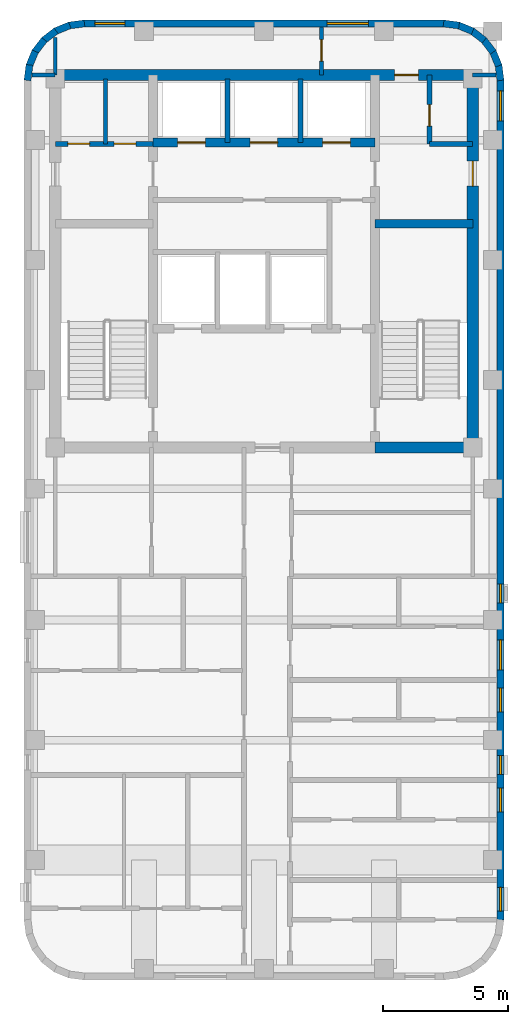
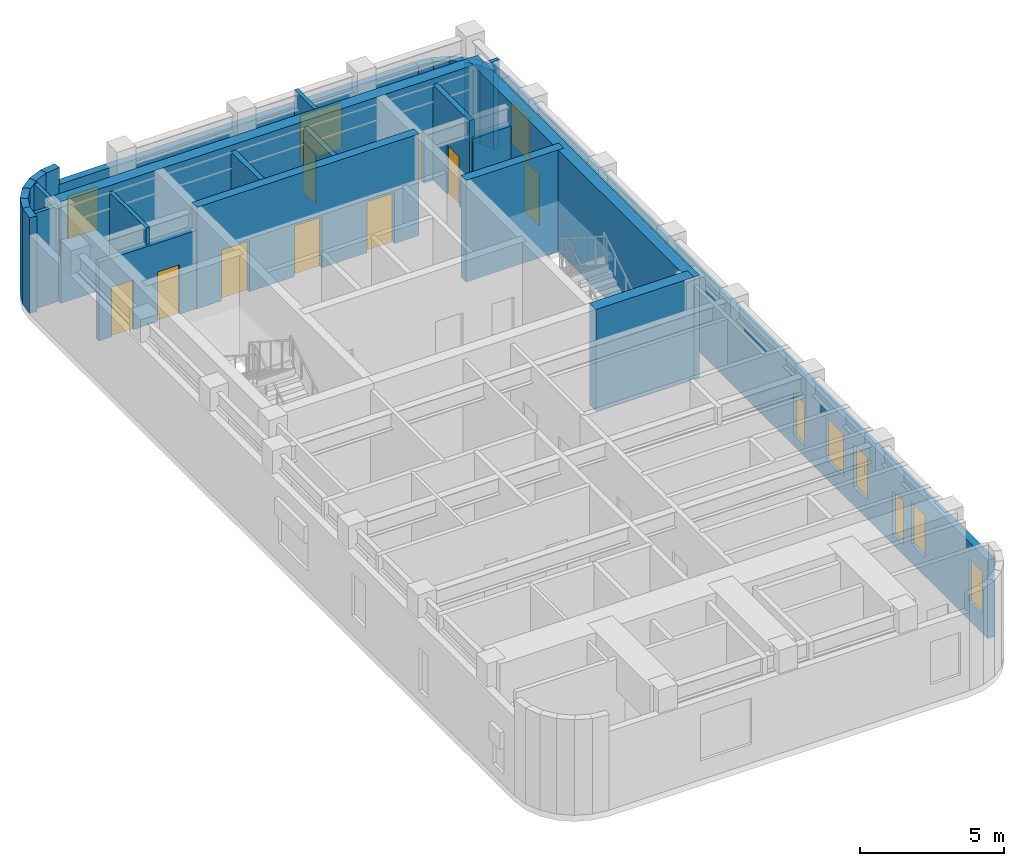
# One storey, part 4 of 6: 29 walls, 9 doors, 9 windows, 18 openings.
"""IFC4 building model written with IfcOpenShell, lengths in metres."""

from ifc_helpers import new_model, si_unit, direction, frame, frame_2d, origin, place, context, subcontext, project, spatial, rectangle, extrude, material, layer, layer_set, type_object, element, fill, save


model = new_model("IFC4")

# Units and contexts
model_context = context("Model", 3, precision=1e-05, world=origin(), true_north=direction((0.0, 1.0)))
body_context = subcontext(model_context, "Body", "Model", "MODEL_VIEW")
ifc_project = project(units=[si_unit("LENGTHUNIT", "METRE"), si_unit("AREAUNIT", "SQUARE_METRE"), si_unit("VOLUMEUNIT", "CUBIC_METRE"), si_unit("PLANEANGLEUNIT", "RADIAN"), si_unit("MASSUNIT", "GRAM", prefix="KILO")], contexts=[model_context])

# Site, building, storey
site_placement = place(None, origin())
site = spatial("IfcSite", under=ifc_project, at=site_placement, CompositionType="ELEMENT")
building_placement = place(site_placement, origin())
building = spatial("IfcBuilding", under=site, at=building_placement, Name="Orvandelia Arch Residences", CompositionType="ELEMENT")
storey_placement = place(building_placement, frame((0.0, 0.0, 261.300048828125)))
storey = spatial("IfcBuildingStorey", under=building, at=storey_placement, Name="L68", CompositionType="ELEMENT", Elevation=261.300048828125)

# Wall
ifc_material_1 = material(Name="Concrete C50/60", Category="concrete")
ifc_layer_1 = layer(ifc_material_1, 0.35009765625, Name="Concrete C50/60", Category="concrete")
ifc_layer_set_1 = layer_set([ifc_layer_1], Name="Concrete C50/60")
wall_type_1 = type_object("IfcWallType", Name="WL-CORE-350", PredefinedType="SHEAR", material=ifc_layer_set_1)
wall_1_placement = place(storey_placement, frame((18.840087890625, 39.85009765625, 0.0), z_axis=(0.0, 0.0, 1.0), x_axis=(1.0, 0.0, 0.0)))
element("IfcWall", 1, at=wall_1_placement, inside=storey, type_object=wall_type_1, Name="Core Shear Wall L68-HZ2", PredefinedType="SHEAR", context=body_context, shape_type="SweptSolid", body=[
    extrude(rectangle(XDim=3.909912109375, YDim=0.35009765625, at=frame_2d((1.955078125, 0.0))), origin(), (0.0, 0.0, 1.0), 4.300048828125),
])

# Wall, openings, doors
wall_2_placement = place(storey_placement, frame((9.9599609375, 43.10009765625, 0.0), z_axis=(0.0, 0.0, 1.0), x_axis=(1.0, 0.0, 0.0)))
wall_2 = element("IfcWall", 2, at=wall_2_placement, inside=storey, type_object=wall_type_1, Name="Core Shear Wall L68-HZ4", PredefinedType="SHEAR", context=body_context, shape_type="SweptSolid", body=[
    extrude(rectangle(XDim=8.880126953125, YDim=0.35009765625, at=frame_2d((4.43994140625, 0.0))), origin(), (0.0, 0.0, 1.0), 4.300048828125),
])
opening_1_placement = place(wall_2_placement, frame((0.989990234375, 0.0, 0.0)))
opening_1 = element("IfcOpeningElement", 3, at=opening_1_placement, cuts=wall_2, Name="Opening LD", PredefinedType="OPENING", context=body_context, shape_type="SweptSolid", body=[
    extrude(rectangle(XDim=1.10009765625, YDim=2.14990234375, at=frame_2d((0.550048828125, 1.074951171875))), frame((0.0, 0.18505859375, 0.0), z_axis=(0.0, -1.0, 0.0), x_axis=(1.0, 0.0, 0.0)), (0.0, 0.0, 1.0), 0.3701171875),
])
opening_2_placement = place(wall_2_placement, frame((3.889892578125, 0.0, 0.0)))
opening_2 = element("IfcOpeningElement", 4, at=opening_2_placement, cuts=wall_2, Name="Opening LD", PredefinedType="OPENING", context=body_context, shape_type="SweptSolid", body=[
    extrude(rectangle(XDim=1.10009765625, YDim=2.14990234375, at=frame_2d((0.550048828125, 1.074951171875))), frame((0.0, 0.18505859375, 0.0), z_axis=(0.0, -1.0, 0.0), x_axis=(1.0, 0.0, 0.0)), (0.0, 0.0, 1.0), 0.3701171875),
])
opening_3_placement = place(wall_2_placement, frame((6.7900390625, 0.0, 0.0)))
opening_3 = element("IfcOpeningElement", 5, at=opening_3_placement, cuts=wall_2, Name="Opening LD", PredefinedType="OPENING", context=body_context, shape_type="SweptSolid", body=[
    extrude(rectangle(XDim=1.10009765625, YDim=2.14990234375, at=frame_2d((0.550048828125, 1.074951171875))), frame((0.0, 0.18505859375, 0.0), z_axis=(0.0, -1.0, 0.0), x_axis=(1.0, 0.0, 0.0)), (0.0, 0.0, 1.0), 0.3701171875),
])
ifc_material_2 = material(Name="Brushed Stainless Steel Sliding Lift Door", Category="steel")
door_type_1 = type_object("IfcDoorType", Name="DR-LIFT-1100", OperationType="NOTDEFINED", PredefinedType="DOOR", material=ifc_material_2)
door_1_placement = place(opening_1_placement, origin())
door_1 = element("IfcDoor", 6, at=door_1_placement, inside=storey, type_object=door_type_1, Name="Lift Landing Door LD-PH1-L68", OperationType="SLIDING_TO_LEFT", OverallHeight=2.14990234375, OverallWidth=1.10009765625, PredefinedType="DOOR", context=body_context, shape_type="SweptSolid", body=[
    extrude(rectangle(XDim=1.10009765625, YDim=2.14990234375, at=frame_2d((0.550048828125, 1.074951171875))), frame((0.0, 0.02490234375, 0.0), z_axis=(0.0, -1.0, 0.0), x_axis=(1.0, 0.0, 0.0)), (0.0, 0.0, 1.0), 0.050048828125),
])
fill(opening_1, door_1)
door_2_placement = place(opening_2_placement, origin())
door_2 = element("IfcDoor", 7, at=door_2_placement, inside=storey, type_object=door_type_1, Name="Lift Landing Door LD-PH2-L68", OperationType="SLIDING_TO_RIGHT", OverallHeight=2.14990234375, OverallWidth=1.10009765625, PredefinedType="DOOR", context=body_context, shape_type="SweptSolid", body=[
    extrude(rectangle(XDim=1.10009765625, YDim=2.14990234375, at=frame_2d((0.550048828125, 1.074951171875))), frame((0.0, 0.02490234375, 0.0), z_axis=(0.0, -1.0, 0.0), x_axis=(1.0, 0.0, 0.0)), (0.0, 0.0, 1.0), 0.050048828125),
])
fill(opening_2, door_2)
door_3_placement = place(opening_3_placement, origin())
door_3 = element("IfcDoor", 8, at=door_3_placement, inside=storey, type_object=door_type_1, Name="Lift Landing Door LD-PH3-L68", OperationType="SLIDING_TO_LEFT", OverallHeight=2.14990234375, OverallWidth=1.10009765625, PredefinedType="DOOR", context=body_context, shape_type="SweptSolid", body=[
    extrude(rectangle(XDim=1.10009765625, YDim=2.14990234375, at=frame_2d((0.550048828125, 1.074951171875))), frame((0.0, 0.02490234375, 0.0), z_axis=(0.0, -1.0, 0.0), x_axis=(1.0, 0.0, 0.0)), (0.0, 0.0, 1.0), 0.050048828125),
])
fill(opening_3, door_3)

# Wall, opening, door
ifc_layer_2 = layer(ifc_material_1, 0.449951171875, Name="Concrete C50/60", Category="concrete")
ifc_layer_set_2 = layer_set([ifc_layer_2], Name="Concrete C50/60")
wall_type_2 = type_object("IfcWallType", Name="WL-CORE-450", PredefinedType="SHEAR", material=ifc_layer_set_2)
wall_3_placement = place(storey_placement, frame((22.75, 30.675048828125, 0.0), z_axis=(0.0, 0.0, 1.0), x_axis=(0.0, 1.0, 0.0)))
wall_3 = element("IfcWall", 9, at=wall_3_placement, inside=storey, type_object=wall_type_2, Name="Core Shear Wall L68-E", PredefinedType="SHEAR", context=body_context, shape_type="SweptSolid", body=[
    extrude(rectangle(XDim=15.349853515625, YDim=0.449951171875, at=frame_2d((7.6748046875, 0.0))), origin(), (0.0, 0.0, 1.0), 4.300048828125),
])
opening_4_placement = place(wall_3_placement, frame((10.675048828125, 0.0, 0.0)))
opening_4 = element("IfcOpeningElement", 10, at=opening_4_placement, cuts=wall_3, Name="Opening D6", PredefinedType="OPENING", context=body_context, shape_type="SweptSolid", body=[
    extrude(rectangle(XDim=1.0, YDim=2.14990234375, at=frame_2d((0.5, 1.074951171875))), frame((0.0, 0.23486328125, 0.0), z_axis=(0.0, -1.0, 0.0), x_axis=(1.0, 0.0, 0.0)), (0.0, 0.0, 1.0), 0.469970703125),
])
ifc_material_3 = material(Name="Smokeproof Painted Steel Fire Door", Category="steel")
door_type_2 = type_object("IfcDoorType", Name="DR-FD60-1000", OperationType="NOTDEFINED", PredefinedType="DOOR", material=ifc_material_3)
door_4_placement = place(opening_4_placement, origin())
door_4 = element("IfcDoor", 11, at=door_4_placement, inside=storey, type_object=door_type_2, Name="Core East Corridor Link Door L68", OperationType="SINGLE_SWING_LEFT", OverallHeight=2.14990234375, OverallWidth=1.0, PredefinedType="DOOR", context=body_context, shape_type="SweptSolid", body=[
    extrude(rectangle(XDim=1.0, YDim=2.14990234375, at=frame_2d((0.5, 1.074951171875))), frame((0.0, 0.02490234375, 0.0), z_axis=(0.0, -1.0, 0.0), x_axis=(1.0, 0.0, 0.0)), (0.0, 0.0, 1.0), 0.050048828125),
])
fill(opening_4, door_4)

wall_4_placement = place(storey_placement, frame((6.050048828125, 45.800048828125, 0.0), z_axis=(0.0, 0.0, 1.0), x_axis=(1.0, 0.0, 0.0)))
wall_4 = element("IfcWall", 12, at=wall_4_placement, inside=storey, type_object=wall_type_2, Name="Core Shear Wall L68-N", PredefinedType="SHEAR", context=body_context, shape_type="SweptSolid", body=[
    extrude(rectangle(XDim=16.699951171875, YDim=0.449951171875, at=frame_2d((8.35009765625, 0.0))), origin(), (0.0, 0.0, 1.0), 4.300048828125),
])
opening_5_placement = place(wall_4_placement, frame((13.570068359375, 0.0, 0.0)))
opening_5 = element("IfcOpeningElement", 13, at=opening_5_placement, cuts=wall_4, Name="Opening D2", PredefinedType="OPENING", context=body_context, shape_type="SweptSolid", body=[
    extrude(rectangle(XDim=0.949951171875, YDim=2.14990234375, at=frame_2d((0.47509765625, 1.074951171875))), frame((0.0, 0.23486328125, 0.0), z_axis=(0.0, -1.0, 0.0), x_axis=(1.0, 0.0, 0.0)), (0.0, 0.0, 1.0), 0.469970703125),
])
ifc_material_4 = material(Name="Solid-Core Timber Interior Fire Door", Category="wood")
door_type_3 = type_object("IfcDoorType", Name="DR-APT-950", OperationType="NOTDEFINED", PredefinedType="DOOR", material=ifc_material_4)
door_5_placement = place(opening_5_placement, origin())
door_5 = element("IfcDoor", 14, at=door_5_placement, inside=storey, type_object=door_type_3, Name="North Harbour Suite Entry Door L68", OperationType="SINGLE_SWING_LEFT", OverallHeight=2.14990234375, OverallWidth=0.949951171875, PredefinedType="DOOR", context=body_context, shape_type="SweptSolid", body=[
    extrude(rectangle(XDim=0.949951171875, YDim=2.14990234375, at=frame_2d((0.47509765625, 1.074951171875))), frame((0.0, 0.02490234375, 0.0), z_axis=(0.0, -1.0, 0.0), x_axis=(1.0, 0.0, 0.0)), (0.0, 0.0, 1.0), 0.050048828125),
])
fill(opening_5, door_5)

# Walls
wall_5_placement = place(storey_placement, frame((18.840087890625, 30.89990234375, 0.0), z_axis=(0.0, 0.0, 1.0), x_axis=(1.0, 0.0, 0.0)))
element("IfcWall", 15, at=wall_5_placement, inside=storey, type_object=wall_type_2, Name="Core Shear Wall L68-SE", PredefinedType="SHEAR", context=body_context, shape_type="SweptSolid", body=[
    extrude(rectangle(XDim=3.909912109375, YDim=0.449951171875, at=frame_2d((1.955078125, 0.0))), origin(), (0.0, 0.0, 1.0), 4.300048828125),
])
ifc_material_5 = material(Name="Precast concrete C40/50", Category="concrete")
ifc_layer_3 = layer(ifc_material_5, 0.280029296875, Name="Precast concrete C40/50", Category="concrete")
ifc_layer_set_3 = layer_set([ifc_layer_3], Name="Precast concrete C40/50")
wall_type_3 = type_object("IfcWallType", Name="WL-EXT-STONE-280", PredefinedType="STANDARD", material=ifc_layer_set_3)
for number, where, z_axis, x_axis, name in (
    (16, (4.938720703125, 45.581787109375, 0.0), (0.0, 0.0, 1.0), (0.130555323746, 0.9914410257, 0.0), "Coral-Limestone Precast Facade Wall L68-001"),
    (17, (5.010986328125, 46.16748046875, 0.0), (0.0, 0.0, 1.0), (0.382650053678, 0.92389335771, 0.0), "Coral-Limestone Precast Facade Wall L68-002"),
    (18, (5.232666015625, 46.71484375, 0.0), (0.0, 0.0, 1.0), (0.608693302629, 0.793405610854, 0.0), "Coral-Limestone Precast Facade Wall L68-003"),
    (19, (5.588134765625, 47.18603515625, 0.0), (0.0, 0.0, 1.0), (0.793405610854, 0.608693302629, 0.0), "Coral-Limestone Precast Facade Wall L68-004"),
):
    element("IfcWall", number, at=place(storey_placement, frame(where, z_axis=z_axis, x_axis=x_axis)), inside=storey, type_object=wall_type_3, Name=name, PredefinedType="STANDARD", context=body_context, shape_type="SweptSolid", body=[
        extrude(rectangle(XDim=0.62646484375, YDim=0.280029296875, at=frame_2d((0.313232421875, 0.0))), origin(), (0.0, 0.0, 1.0), 4.0400390625),
    ])
wall_6_placement = place(storey_placement, frame((6.0537109375, 47.54931640625, 0.0), z_axis=(0.0, 0.0, 1.0), x_axis=(0.923974080304, 0.382455093999, 0.0)))
element("IfcWall", 20, at=wall_6_placement, inside=storey, type_object=wall_type_3, Name="Coral-Limestone Precast Facade Wall L68-005", PredefinedType="STANDARD", context=body_context, shape_type="SweptSolid", body=[
    extrude(rectangle(XDim=0.626220703125, YDim=0.280029296875, at=frame_2d((0.31298828125, 0.0))), origin(), (0.0, 0.0, 1.0), 4.0400390625),
])
wall_7_placement = place(storey_placement, frame((6.59716796875, 47.779296875, 0.0), z_axis=(0.0, 0.0, 1.0), x_axis=(0.9914410257, 0.130555323746, 0.0)))
element("IfcWall", 21, at=wall_7_placement, inside=storey, type_object=wall_type_3, Name="Coral-Limestone Precast Facade Wall L68-006", PredefinedType="STANDARD", context=body_context, shape_type="SweptSolid", body=[
    extrude(rectangle(XDim=0.62646484375, YDim=0.280029296875, at=frame_2d((0.313232421875, 0.0))), origin(), (0.0, 0.0, 1.0), 4.0400390625),
])

# Wall, openings, windows
wall_8_placement = place(storey_placement, frame((7.199951171875, 47.860107421875, 0.0), z_axis=(0.0, 0.0, 1.0), x_axis=(1.0, 0.0, 0.0)))
wall_8 = element("IfcWall", 22, at=wall_8_placement, inside=storey, type_object=wall_type_3, Name="Coral-Limestone Precast Facade Wall L68-007", PredefinedType="STANDARD", context=body_context, shape_type="SweptSolid", body=[
    extrude(rectangle(XDim=14.400146484375, YDim=0.280029296875, at=frame_2d((7.2001953125, 0.0))), origin(), (0.0, 0.0, 1.0), 3.320068359375),
])
opening_6_placement = place(wall_8_placement, frame((0.4326171875, 0.0, 0.800048828125)))
opening_6 = element("IfcOpeningElement", 23, at=opening_6_placement, cuts=wall_8, Name="Opening W3", PredefinedType="OPENING", context=body_context, shape_type="SweptSolid", body=[
    extrude(rectangle(XDim=1.199951171875, YDim=1.800048828125, at=frame_2d((0.60009765625, 0.89990234375))), frame((0.0, 0.14990234375, 0.0), z_axis=(0.0, -1.0, 0.0), x_axis=(1.0, 0.0, 0.0)), (0.0, 0.0, 1.0), 0.300048828125),
])
opening_7_placement = place(wall_8_placement, frame((9.7275390625, 0.0, 0.800048828125)))
opening_7 = element("IfcOpeningElement", 24, at=opening_7_placement, cuts=wall_8, Name="Opening W9", PredefinedType="OPENING", context=body_context, shape_type="SweptSolid", body=[
    extrude(rectangle(XDim=1.64990234375, YDim=1.949951171875, at=frame_2d((0.824951171875, 0.97509765625))), frame((0.0, 0.14990234375, 0.0), z_axis=(0.0, -1.0, 0.0), x_axis=(1.0, 0.0, 0.0)), (0.0, 0.0, 1.0), 0.300048828125),
])
ifc_material_6 = material(Name="Tempered Low-E Insulated Glazing", Category="glass")
window_type_1 = type_object("IfcWindowType", Name="WIN-RES-1200x1800", PartitioningType="SINGLE_PANEL", PredefinedType="WINDOW", material=ifc_material_6)
window_1_placement = place(opening_6_placement, origin())
window_1 = element("IfcWindow", 25, at=window_1_placement, inside=storey, type_object=window_type_1, Name="Recessed Punched Window L68-001", OverallHeight=1.800048828125, OverallWidth=1.199951171875, PartitioningType="SINGLE_PANEL", PredefinedType="WINDOW", context=body_context, shape_type="SweptSolid", body=[
    extrude(rectangle(XDim=1.199951171875, YDim=1.800048828125, at=frame_2d((0.60009765625, 0.89990234375))), frame((0.0, 0.030029296875, 0.0), z_axis=(0.0, -1.0, 0.0), x_axis=(1.0, 0.0, 0.0)), (0.0, 0.0, 1.0), 0.06005859375),
])
fill(opening_6, window_1)
window_type_2 = type_object("IfcWindowType", Name="WIN-UPP-1650x1950", PartitioningType="SINGLE_PANEL", PredefinedType="WINDOW", material=ifc_material_6)
window_2_placement = place(opening_7_placement, origin())
window_2 = element("IfcWindow", 26, at=window_2_placement, inside=storey, type_object=window_type_2, Name="Recessed Punched Window L68-002", OverallHeight=1.949951171875, OverallWidth=1.64990234375, PartitioningType="SINGLE_PANEL", PredefinedType="WINDOW", context=body_context, shape_type="SweptSolid", body=[
    extrude(rectangle(XDim=1.64990234375, YDim=1.949951171875, at=frame_2d((0.824951171875, 0.97509765625))), frame((0.0, 0.030029296875, 0.0), z_axis=(0.0, -1.0, 0.0), x_axis=(1.0, 0.0, 0.0)), (0.0, 0.0, 1.0), 0.06005859375),
])
fill(opening_7, window_2)

# Walls
for number, where, z_axis, x_axis, name in (
    (27, (21.581787109375, 47.861083984375, 0.0), (0.0, 0.0, 1.0), (0.9914410257, -0.130555323746, 0.0), "Coral-Limestone Precast Facade Wall L68-008"),
    (28, (22.16748046875, 47.788818359375, 0.0), (0.0, 0.0, 1.0), (0.924031075431, -0.382317370307, 0.0), "Coral-Limestone Precast Facade Wall L68-009"),
    (29, (22.71484375, 47.5673828125, 0.0), (0.0, 0.0, 1.0), (0.793405610854, -0.608693302629, 0.0), "Coral-Limestone Precast Facade Wall L68-010"),
    (30, (23.18603515625, 47.2119140625, 0.0), (0.0, 0.0, 1.0), (0.608693302629, -0.793405610854, 0.0), "Coral-Limestone Precast Facade Wall L68-011"),
    (31, (23.54931640625, 46.746337890625, 0.0), (0.0, 0.0, 1.0), (0.382317370307, -0.924031075431, 0.0), "Coral-Limestone Precast Facade Wall L68-012"),
    (32, (23.779296875, 46.202880859375, 0.0), (0.0, 0.0, 1.0), (0.130555323746, -0.9914410257, 0.0), "Coral-Limestone Precast Facade Wall L68-013"),
):
    element("IfcWall", number, at=place(storey_placement, frame(where, z_axis=z_axis, x_axis=x_axis)), inside=storey, type_object=wall_type_3, Name=name, PredefinedType="STANDARD", context=body_context, shape_type="SweptSolid", body=[
        extrude(rectangle(XDim=0.62646484375, YDim=0.280029296875, at=frame_2d((0.313232421875, 0.0))), origin(), (0.0, 0.0, 1.0), 3.320068359375),
    ])

# Wall, openings, windows
wall_9_placement = place(storey_placement, frame((23.860107421875, 45.60009765625, 0.0), z_axis=(0.0, 0.0, 1.0), x_axis=(0.0, -1.0, 0.0)))
wall_9 = element("IfcWall", 33, at=wall_9_placement, inside=storey, type_object=wall_type_3, Name="Coral-Limestone Precast Facade Wall L68-014", PredefinedType="STANDARD", context=body_context, shape_type="SweptSolid", body=[
    extrude(rectangle(XDim=33.60009765625, YDim=0.280029296875, at=frame_2d((16.800048828125, 0.0))), origin(), (0.0, 0.0, 1.0), 3.320068359375),
])
opening_8_placement = place(wall_9_placement, frame((27.0224609375, 0.0, 0.449951171875)))
opening_8 = element("IfcOpeningElement", 34, at=opening_8_placement, cuts=wall_9, Name="Opening W11", PredefinedType="OPENING", context=body_context, shape_type="SweptSolid", body=[
    extrude(rectangle(XDim=0.75, YDim=1.800048828125, at=frame_2d((0.375, 0.89990234375))), frame((0.0, 0.14990234375, 0.0), z_axis=(0.0, -1.0, 0.0), x_axis=(1.0, 0.0, 0.0)), (0.0, 0.0, 1.0), 0.300048828125),
])
opening_9_placement = place(wall_9_placement, frame((22.3974609375, 0.0, 0.800048828125)))
opening_9 = element("IfcOpeningElement", 35, at=opening_9_placement, cuts=wall_9, Name="Opening W3", PredefinedType="OPENING", context=body_context, shape_type="SweptSolid", body=[
    extrude(rectangle(XDim=1.199951171875, YDim=1.800048828125, at=frame_2d((0.60009765625, 0.89990234375))), frame((0.0, 0.14990234375, 0.0), z_axis=(0.0, -1.0, 0.0), x_axis=(1.0, 0.0, 0.0)), (0.0, 0.0, 1.0), 0.300048828125),
])
opening_10_placement = place(wall_9_placement, frame((0.4326171875, 0.0, 0.800048828125)))
opening_10 = element("IfcOpeningElement", 36, at=opening_10_placement, cuts=wall_9, Name="Opening W3", PredefinedType="OPENING", context=body_context, shape_type="SweptSolid", body=[
    extrude(rectangle(XDim=1.199951171875, YDim=1.800048828125, at=frame_2d((0.60009765625, 0.89990234375))), frame((0.0, 0.14990234375, 0.0), z_axis=(0.0, -1.0, 0.0), x_axis=(1.0, 0.0, 0.0)), (0.0, 0.0, 1.0), 0.300048828125),
])
opening_11_placement = place(wall_9_placement, frame((32.294921875, 0.0, 0.800048828125)))
opening_11 = element("IfcOpeningElement", 37, at=opening_11_placement, cuts=wall_9, Name="Opening W4", PredefinedType="OPENING", context=body_context, shape_type="SweptSolid", body=[
    extrude(rectangle(XDim=0.949951171875, YDim=1.800048828125, at=frame_2d((0.47509765625, 0.89990234375))), frame((0.0, 0.14990234375, 0.0), z_axis=(0.0, -1.0, 0.0), x_axis=(1.0, 0.0, 0.0)), (0.0, 0.0, 1.0), 0.300048828125),
])
opening_12_placement = place(wall_9_placement, frame((28.320068359375, 0.0, 0.800048828125)))
opening_12 = element("IfcOpeningElement", 38, at=opening_12_placement, cuts=wall_9, Name="Opening W4", PredefinedType="OPENING", context=body_context, shape_type="SweptSolid", body=[
    extrude(rectangle(XDim=0.949951171875, YDim=1.800048828125, at=frame_2d((0.47509765625, 0.89990234375))), frame((0.0, 0.14990234375, 0.0), z_axis=(0.0, -1.0, 0.0), x_axis=(1.0, 0.0, 0.0)), (0.0, 0.0, 1.0), 0.300048828125),
])
opening_13_placement = place(wall_9_placement, frame((24.320068359375, 0.0, 0.800048828125)))
opening_13 = element("IfcOpeningElement", 39, at=opening_13_placement, cuts=wall_9, Name="Opening W4", PredefinedType="OPENING", context=body_context, shape_type="SweptSolid", body=[
    extrude(rectangle(XDim=0.949951171875, YDim=1.800048828125, at=frame_2d((0.47509765625, 0.89990234375))), frame((0.0, 0.14990234375, 0.0), z_axis=(0.0, -1.0, 0.0), x_axis=(1.0, 0.0, 0.0)), (0.0, 0.0, 1.0), 0.300048828125),
])
opening_14_placement = place(wall_9_placement, frame((20.16748046875, 0.0, 0.449951171875)))
opening_14 = element("IfcOpeningElement", 40, at=opening_14_placement, cuts=wall_9, Name="Opening W11", PredefinedType="OPENING", context=body_context, shape_type="SweptSolid", body=[
    extrude(rectangle(XDim=0.75, YDim=1.800048828125, at=frame_2d((0.375, 0.89990234375))), frame((0.0, 0.14990234375, 0.0), z_axis=(0.0, -1.0, 0.0), x_axis=(1.0, 0.0, 0.0)), (0.0, 0.0, 1.0), 0.300048828125),
])
window_type_3 = type_object("IfcWindowType", Name="WIN-BED-0750x1800", PartitioningType="SINGLE_PANEL", PredefinedType="WINDOW", material=ifc_material_6)
window_3_placement = place(opening_8_placement, origin())
window_3 = element("IfcWindow", 41, at=window_3_placement, inside=storey, type_object=window_type_3, Name="Recessed Punched Window L68-003", OverallHeight=1.800048828125, OverallWidth=0.75, PartitioningType="SINGLE_PANEL", PredefinedType="WINDOW", context=body_context, shape_type="SweptSolid", body=[
    extrude(rectangle(XDim=0.75, YDim=1.800048828125, at=frame_2d((0.375, 0.89990234375))), frame((0.0, 0.030029296875, 0.0), z_axis=(0.0, -1.0, 0.0), x_axis=(1.0, 0.0, 0.0)), (0.0, 0.0, 1.0), 0.06005859375),
])
fill(opening_8, window_3)
window_4_placement = place(opening_14_placement, origin())
window_4 = element("IfcWindow", 42, at=window_4_placement, inside=storey, type_object=window_type_3, Name="Recessed Punched Window L68-009", OverallHeight=1.800048828125, OverallWidth=0.75, PartitioningType="SINGLE_PANEL", PredefinedType="WINDOW", context=body_context, shape_type="SweptSolid", body=[
    extrude(rectangle(XDim=0.75, YDim=1.800048828125, at=frame_2d((0.375, 0.89990234375))), frame((0.0, 0.030029296875, 0.0), z_axis=(0.0, -1.0, 0.0), x_axis=(1.0, 0.0, 0.0)), (0.0, 0.0, 1.0), 0.06005859375),
])
fill(opening_14, window_4)
window_type_4 = type_object("IfcWindowType", Name="WIN-RES-0950x1800", PartitioningType="SINGLE_PANEL", PredefinedType="WINDOW", material=ifc_material_6)
window_5_placement = place(opening_11_placement, origin())
window_5 = element("IfcWindow", 43, at=window_5_placement, inside=storey, type_object=window_type_4, Name="Recessed Punched Window L68-006", OverallHeight=1.800048828125, OverallWidth=0.949951171875, PartitioningType="SINGLE_PANEL", PredefinedType="WINDOW", context=body_context, shape_type="SweptSolid", body=[
    extrude(rectangle(XDim=0.949951171875, YDim=1.800048828125, at=frame_2d((0.47509765625, 0.89990234375))), frame((0.0, 0.030029296875, 0.0), z_axis=(0.0, -1.0, 0.0), x_axis=(1.0, 0.0, 0.0)), (0.0, 0.0, 1.0), 0.06005859375),
])
fill(opening_11, window_5)
window_6_placement = place(opening_12_placement, origin())
window_6 = element("IfcWindow", 44, at=window_6_placement, inside=storey, type_object=window_type_4, Name="Recessed Punched Window L68-007", OverallHeight=1.800048828125, OverallWidth=0.949951171875, PartitioningType="SINGLE_PANEL", PredefinedType="WINDOW", context=body_context, shape_type="SweptSolid", body=[
    extrude(rectangle(XDim=0.949951171875, YDim=1.800048828125, at=frame_2d((0.47509765625, 0.89990234375))), frame((0.0, 0.030029296875, 0.0), z_axis=(0.0, -1.0, 0.0), x_axis=(1.0, 0.0, 0.0)), (0.0, 0.0, 1.0), 0.06005859375),
])
fill(opening_12, window_6)
window_7_placement = place(opening_13_placement, origin())
window_7 = element("IfcWindow", 45, at=window_7_placement, inside=storey, type_object=window_type_4, Name="Recessed Punched Window L68-008", OverallHeight=1.800048828125, OverallWidth=0.949951171875, PartitioningType="SINGLE_PANEL", PredefinedType="WINDOW", context=body_context, shape_type="SweptSolid", body=[
    extrude(rectangle(XDim=0.949951171875, YDim=1.800048828125, at=frame_2d((0.47509765625, 0.89990234375))), frame((0.0, 0.030029296875, 0.0), z_axis=(0.0, -1.0, 0.0), x_axis=(1.0, 0.0, 0.0)), (0.0, 0.0, 1.0), 0.06005859375),
])
fill(opening_13, window_7)
window_8_placement = place(opening_9_placement, origin())
window_8 = element("IfcWindow", 46, at=window_8_placement, inside=storey, type_object=window_type_1, Name="Recessed Punched Window L68-004", OverallHeight=1.800048828125, OverallWidth=1.199951171875, PartitioningType="SINGLE_PANEL", PredefinedType="WINDOW", context=body_context, shape_type="SweptSolid", body=[
    extrude(rectangle(XDim=1.199951171875, YDim=1.800048828125, at=frame_2d((0.60009765625, 0.89990234375))), frame((0.0, 0.030029296875, 0.0), z_axis=(0.0, -1.0, 0.0), x_axis=(1.0, 0.0, 0.0)), (0.0, 0.0, 1.0), 0.06005859375),
])
fill(opening_9, window_8)
window_9_placement = place(opening_10_placement, origin())
window_9 = element("IfcWindow", 47, at=window_9_placement, inside=storey, type_object=window_type_1, Name="Recessed Punched Window L68-005", OverallHeight=1.800048828125, OverallWidth=1.199951171875, PartitioningType="SINGLE_PANEL", PredefinedType="WINDOW", context=body_context, shape_type="SweptSolid", body=[
    extrude(rectangle(XDim=1.199951171875, YDim=1.800048828125, at=frame_2d((0.60009765625, 0.89990234375))), frame((0.0, 0.030029296875, 0.0), z_axis=(0.0, -1.0, 0.0), x_axis=(1.0, 0.0, 0.0)), (0.0, 0.0, 1.0), 0.06005859375),
])
fill(opening_10, window_9)

# Walls
ifc_material_7 = material(Name="Acoustic Gypsum Stud Partition")
ifc_layer_4 = layer(ifc_material_7, 0.14990234375, Name="Acoustic Gypsum Stud Partition")
ifc_layer_set_4 = layer_set([ifc_layer_4], Name="Acoustic Gypsum Stud Partition")
wall_type_4 = type_object("IfcWallType", Name="WL-PART-150", PredefinedType="PARTITIONING", material=ifc_layer_set_4)
wall_10_placement = place(storey_placement, frame((8.06005859375, 43.050048828125, 0.0), z_axis=(0.0, 0.0, 1.0), x_axis=(0.0, 1.0, 0.0)))
element("IfcWall", 48, at=wall_10_placement, inside=storey, type_object=wall_type_4, Name="Interior Partition Wall WL-L68-CRELC-M", PredefinedType="PARTITIONING", context=body_context, shape_type="SweptSolid", body=[
    extrude(rectangle(XDim=2.599853515625, YDim=0.14990234375, at=frame_2d((1.2998046875, 0.0))), origin(), (0.0, 0.0, 1.0), 4.0400390625),
])
wall_11_placement = place(storey_placement, frame((5.1201171875, 45.800048828125, 0.0), z_axis=(0.0, 0.0, 1.0), x_axis=(1.0, 0.0, 0.0)))
element("IfcWall", 49, at=wall_11_placement, inside=storey, type_object=wall_type_4, Name="Interior Partition Wall WL-L68-WF-N", PredefinedType="PARTITIONING", context=body_context, shape_type="SweptSolid", body=[
    extrude(rectangle(XDim=0.929931640625, YDim=0.14990234375, at=frame_2d((0.46484375, 0.0))), origin(), (0.0, 0.0, 1.0), 4.0400390625),
])
wall_12_placement = place(storey_placement, frame((6.050048828125, 45.800048828125, 0.0), z_axis=(0.0, 0.0, 1.0), x_axis=(0.0, 1.0, 0.0)))
element("IfcWall", 50, at=wall_12_placement, inside=storey, type_object=wall_type_4, Name="Interior Partition Wall WL-L68-NHI-W6", PredefinedType="PARTITIONING", context=body_context, shape_type="SweptSolid", body=[
    extrude(rectangle(XDim=1.5, YDim=0.14990234375, at=frame_2d((0.75, 0.0))), origin(), (0.0, 0.0, 1.0), 4.0400390625),
])
wall_13_placement = place(storey_placement, frame((22.75, 45.800048828125, 0.0), z_axis=(0.0, 0.0, 1.0), x_axis=(1.0, 0.0, 0.0)))
element("IfcWall", 51, at=wall_13_placement, inside=storey, type_object=wall_type_4, Name="Interior Partition Wall WL-L68-SEFLK-N", PredefinedType="PARTITIONING", context=body_context, shape_type="SweptSolid", body=[
    extrude(rectangle(XDim=0.929931640625, YDim=0.14990234375, at=frame_2d((0.46484375, 0.0))), origin(), (0.0, 0.0, 1.0), 4.0400390625),
])

# Wall, opening, door
wall_14_placement = place(storey_placement, frame((16.699951171875, 45.800048828125, 0.0), z_axis=(0.0, 0.0, 1.0), x_axis=(0.0, 1.0, 0.0)))
wall_14 = element("IfcWall", 52, at=wall_14_placement, inside=storey, type_object=wall_type_4, Name="Interior Partition Wall WL-L68-NHI-M", PredefinedType="PARTITIONING", context=body_context, shape_type="SweptSolid", body=[
    extrude(rectangle(XDim=1.919921875, YDim=0.14990234375, at=frame_2d((0.9599609375, 0.0))), origin(), (0.0, 0.0, 1.0), 4.0400390625),
])
opening_15_placement = place(wall_14_placement, frame((0.550048828125, 0.0, 0.0)))
opening_15 = element("IfcOpeningElement", 53, at=opening_15_placement, cuts=wall_14, Name="Opening D4", PredefinedType="OPENING", context=body_context, shape_type="SweptSolid", body=[
    extrude(rectangle(XDim=0.860107421875, YDim=2.10009765625, at=frame_2d((0.43017578125, 1.050048828125))), frame((0.0, 0.0849609375, 0.0), z_axis=(0.0, -1.0, 0.0), x_axis=(1.0, 0.0, 0.0)), (0.0, 0.0, 1.0), 0.169921875),
])
ifc_material_8 = material(Name="Moisture-Sealed Timber Bathroom Door", Category="wood")
door_type_4 = type_object("IfcDoorType", Name="DR-WET-900", OperationType="NOTDEFINED", PredefinedType="DOOR", material=ifc_material_8)
door_6_placement = place(opening_15_placement, origin())
door_6 = element("IfcDoor", 54, at=door_6_placement, inside=storey, type_object=door_type_4, Name="DR-L68-NHI1", OperationType="SINGLE_SWING_LEFT", OverallHeight=2.10009765625, OverallWidth=0.860107421875, PredefinedType="DOOR", context=body_context, shape_type="SweptSolid", body=[
    extrude(rectangle(XDim=0.860107421875, YDim=2.10009765625, at=frame_2d((0.43017578125, 1.050048828125))), frame((0.0, 0.02490234375, 0.0), z_axis=(0.0, -1.0, 0.0), x_axis=(1.0, 0.0, 0.0)), (0.0, 0.0, 1.0), 0.050048828125),
])
fill(opening_15, door_6)

# Wall
ifc_material_9 = material(Name="Fire-Rated Shaft Enclosure Wall")
ifc_layer_5 = layer(ifc_material_9, 0.199951171875, Name="Fire-Rated Shaft Enclosure Wall")
ifc_layer_set_5 = layer_set([ifc_layer_5], Name="Fire-Rated Shaft Enclosure Wall")
wall_type_5 = type_object("IfcWallType", Name="WL-SHAFT-200", PredefinedType="POLYGONAL", material=ifc_layer_set_5)
wall_15_placement = place(storey_placement, frame((21.02001953125, 43.050048828125, 0.0), z_axis=(0.0, 0.0, 1.0), x_axis=(1.0, 0.0, 0.0)))
element("IfcWall", 55, at=wall_15_placement, inside=storey, type_object=wall_type_5, Name="Interior Partition Wall WL-L68-HLE-N", PredefinedType="POLYGONAL", context=body_context, shape_type="SweptSolid", body=[
    extrude(rectangle(XDim=1.72998046875, YDim=0.199951171875, at=frame_2d((0.864990234375, 0.0))), origin(), (0.0, 0.0, 1.0), 3.320068359375),
])

# Wall, opening, door
wall_16_placement = place(storey_placement, frame((21.02001953125, 43.050048828125, 0.0), z_axis=(0.0, 0.0, 1.0), x_axis=(0.0, 1.0, 0.0)))
wall_16 = element("IfcWall", 56, at=wall_16_placement, inside=storey, type_object=wall_type_5, Name="Interior Partition Wall WL-L68-HLE-W21", PredefinedType="POLYGONAL", context=body_context, shape_type="SweptSolid", body=[
    extrude(rectangle(XDim=2.75, YDim=0.199951171875, at=frame_2d((1.375, 0.0))), origin(), (0.0, 0.0, 1.0), 4.0400390625),
])
opening_16_placement = place(wall_16_placement, frame((0.699951171875, 0.0, 0.0)))
opening_16 = element("IfcOpeningElement", 57, at=opening_16_placement, cuts=wall_16, Name="Opening D4", PredefinedType="OPENING", context=body_context, shape_type="SweptSolid", body=[
    extrude(rectangle(XDim=0.860107421875, YDim=2.10009765625, at=frame_2d((0.43017578125, 1.050048828125))), frame((0.0, 0.10986328125, 0.0), z_axis=(0.0, -1.0, 0.0), x_axis=(1.0, 0.0, 0.0)), (0.0, 0.0, 1.0), 0.219970703125),
])
door_7_placement = place(opening_16_placement, origin())
door_7 = element("IfcDoor", 58, at=door_7_placement, inside=storey, type_object=door_type_4, Name="DR-L68-CSB2", OperationType="SINGLE_SWING_RIGHT", OverallHeight=2.10009765625, OverallWidth=0.860107421875, PredefinedType="DOOR", context=body_context, shape_type="SweptSolid", body=[
    extrude(rectangle(XDim=0.860107421875, YDim=2.10009765625, at=frame_2d((0.43017578125, 1.050048828125))), frame((0.0, 0.02490234375, 0.0), z_axis=(0.0, -1.0, 0.0), x_axis=(1.0, 0.0, 0.0)), (0.0, 0.0, 1.0), 0.050048828125),
])
fill(opening_16, door_7)

# Wall, openings, doors
wall_17_placement = place(storey_placement, frame((6.050048828125, 43.050048828125, 0.0), z_axis=(0.0, 0.0, 1.0), x_axis=(1.0, 0.0, 0.0)))
wall_17 = element("IfcWall", 59, at=wall_17_placement, inside=storey, type_object=wall_type_5, Name="Interior Partition Wall WL-L68-HLW-N", PredefinedType="POLYGONAL", context=body_context, shape_type="SweptSolid", body=[
    extrude(rectangle(XDim=3.909912109375, YDim=0.199951171875, at=frame_2d((1.955078125, 0.0))), origin(), (0.0, 0.0, 1.0), 3.320068359375),
])
opening_17_placement = place(wall_17_placement, frame((0.5, 0.0, 0.0)))
opening_17 = element("IfcOpeningElement", 60, at=opening_17_placement, cuts=wall_17, Name="Opening D5", PredefinedType="OPENING", context=body_context, shape_type="SweptSolid", body=[
    extrude(rectangle(XDim=0.8798828125, YDim=2.10009765625, at=frame_2d((0.43994140625, 1.050048828125))), frame((0.0, 0.10986328125, 0.0), z_axis=(0.0, -1.0, 0.0), x_axis=(1.0, 0.0, 0.0)), (0.0, 0.0, 1.0), 0.219970703125),
])
opening_18_placement = place(wall_17_placement, frame((2.35009765625, 0.0, 0.0)))
opening_18 = element("IfcOpeningElement", 61, at=opening_18_placement, cuts=wall_17, Name="Opening D5", PredefinedType="OPENING", context=body_context, shape_type="SweptSolid", body=[
    extrude(rectangle(XDim=0.8798828125, YDim=2.10009765625, at=frame_2d((0.43994140625, 1.050048828125))), frame((0.0, 0.10986328125, 0.0), z_axis=(0.0, -1.0, 0.0), x_axis=(1.0, 0.0, 0.0)), (0.0, 0.0, 1.0), 0.219970703125),
])
ifc_material_10 = material(Name="Painted Galvanised Steel Service Door", Category="steel")
door_type_5 = type_object("IfcDoorType", Name="DR-SRV-880", OperationType="NOTDEFINED", PredefinedType="DOOR", material=ifc_material_10)
door_8_placement = place(opening_17_placement, origin())
door_8 = element("IfcDoor", 62, at=door_8_placement, inside=storey, type_object=door_type_5, Name="DR-L68-CRELC1", OperationType="SINGLE_SWING_LEFT", OverallHeight=2.10009765625, OverallWidth=0.8798828125, PredefinedType="DOOR", context=body_context, shape_type="SweptSolid", body=[
    extrude(rectangle(XDim=0.8798828125, YDim=2.10009765625, at=frame_2d((0.43994140625, 1.050048828125))), frame((0.0, 0.02490234375, 0.0), z_axis=(0.0, -1.0, 0.0), x_axis=(1.0, 0.0, 0.0)), (0.0, 0.0, 1.0), 0.050048828125),
])
fill(opening_17, door_8)
door_9_placement = place(opening_18_placement, origin())
door_9 = element("IfcDoor", 63, at=door_9_placement, inside=storey, type_object=door_type_5, Name="DR-L68-CRELC2", OperationType="SINGLE_SWING_RIGHT", OverallHeight=2.10009765625, OverallWidth=0.8798828125, PredefinedType="DOOR", context=body_context, shape_type="SweptSolid", body=[
    extrude(rectangle(XDim=0.8798828125, YDim=2.10009765625, at=frame_2d((0.43994140625, 1.050048828125))), frame((0.0, 0.02490234375, 0.0), z_axis=(0.0, -1.0, 0.0), x_axis=(1.0, 0.0, 0.0)), (0.0, 0.0, 1.0), 0.050048828125),
])
fill(opening_18, door_9)

# Walls
for number, where, z_axis, x_axis, name in (
    (64, (12.949951171875, 43.10009765625, 0.0), (0.0, 0.0, 1.0), (0.0, 1.0, 0.0), "Interior Partition Wall WL-L68-PHD1"),
    (65, (15.85009765625, 43.10009765625, 0.0), (0.0, 0.0, 1.0), (0.0, 1.0, 0.0), "Interior Partition Wall WL-L68-PHD2"),
):
    element("IfcWall", number, at=place(storey_placement, frame(where, z_axis=z_axis, x_axis=x_axis)), inside=storey, type_object=wall_type_5, Name=name, PredefinedType="POLYGONAL", context=body_context, shape_type="SweptSolid", body=[
        extrude(rectangle(XDim=2.5498046875, YDim=0.199951171875, at=frame_2d((1.27490234375, 0.0))), origin(), (0.0, 0.0, 1.0), 4.0400390625),
    ])

save(model, "model.ifc")
